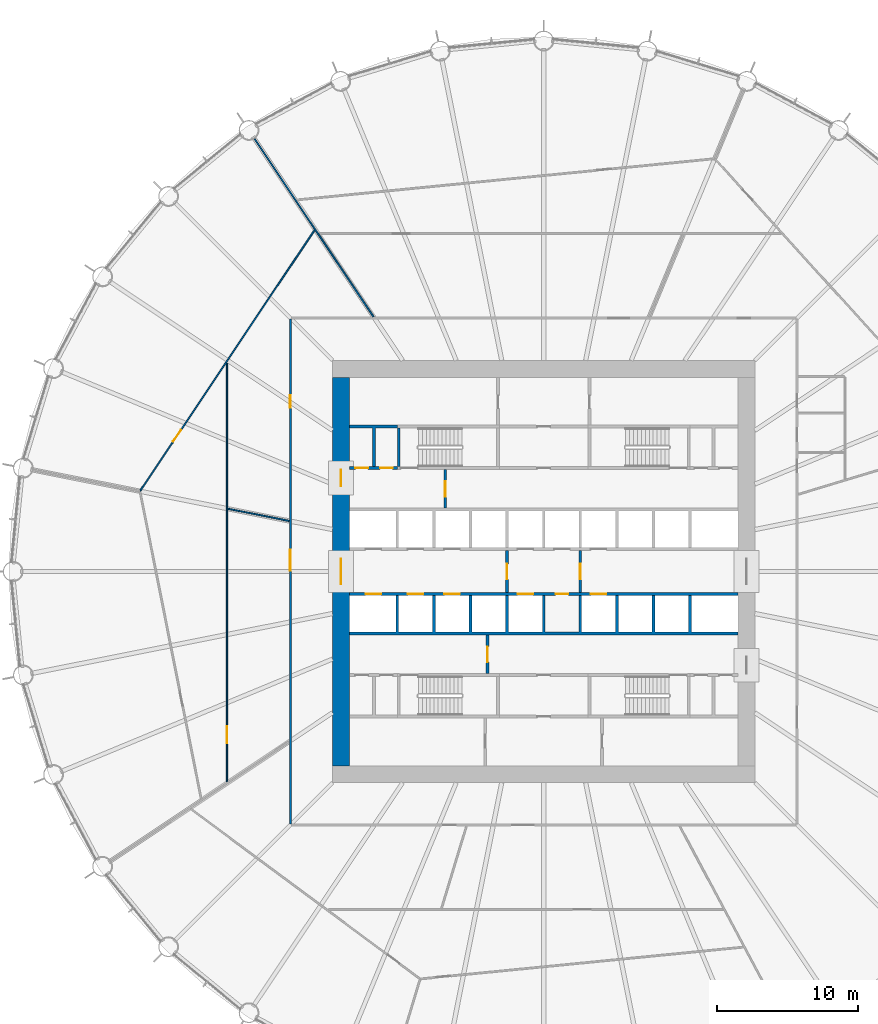
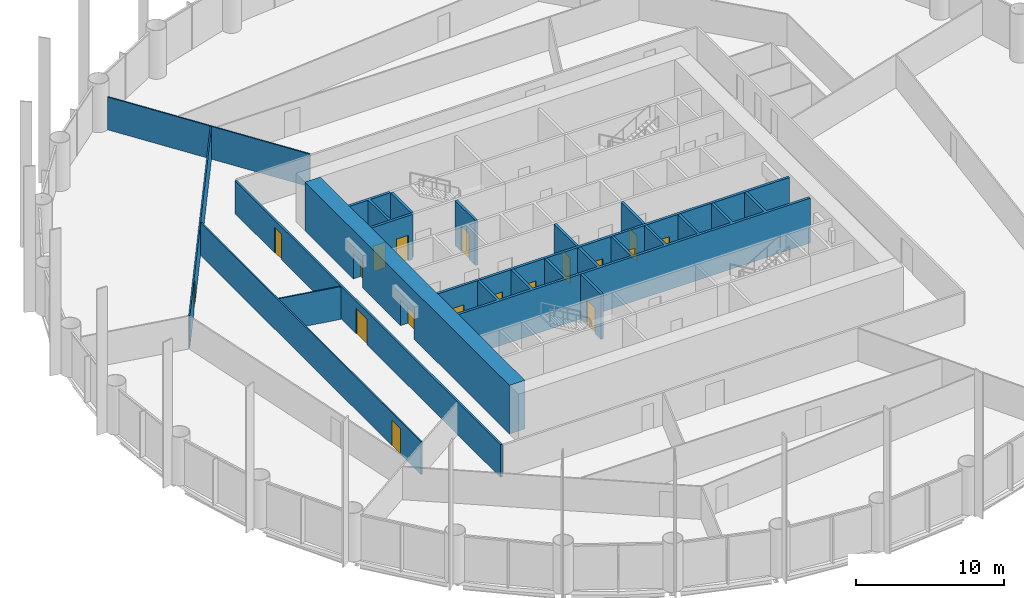
# One storey, part 10 of 14: 18 doors, 15 walls, 18 openings.
"""IFC4 building model written with IfcOpenShell, lengths in metres."""

from ifc_helpers import new_model, si_unit, direction, frame, frame_2d, origin, place, context, subcontext, project, spatial, polyline, rectangle, outline, extrude, material, layer, layer_set, type_object, element, fill, save


model = new_model("IFC4")

# Units and contexts
model_context = context("Model", 3, precision=1e-05, world=origin(), true_north=direction((0.0, 1.0)))
body_context = subcontext(model_context, "Body", "Model", "MODEL_VIEW")
ifc_project = project(units=[si_unit("LENGTHUNIT", "METRE"), si_unit("AREAUNIT", "SQUARE_METRE"), si_unit("VOLUMEUNIT", "CUBIC_METRE"), si_unit("PLANEANGLEUNIT", "RADIAN"), si_unit("MASSUNIT", "GRAM", prefix="KILO")], contexts=[model_context])

# Site, building, storey
site_placement = place(None, origin())
site = spatial("IfcSite", under=ifc_project, at=site_placement, CompositionType="ELEMENT")
building_placement = place(site_placement, origin())
building = spatial("IfcBuilding", under=site, at=building_placement, Name="Corvane Civic Tower", CompositionType="ELEMENT")
storey_placement = place(building_placement, frame((0.0, 0.0, 53.0)))
storey = spatial("IfcBuildingStorey", under=building, at=storey_placement, Name="L11", CompositionType="ELEMENT", Elevation=53.0)

# Wall, openings, doors
ifc_material_1 = material(Name="Concrete C80/95", Category="concrete")
ifc_layer_1 = layer(ifc_material_1, 1.199951171875)
ifc_layer_set_1 = layer_set([ifc_layer_1], Name="Concrete C80/95")
wall_type_1 = type_object("IfcWallType", Name="CORE WALL 1200 C80/95", PredefinedType="SHEAR", material=ifc_layer_set_1)
wall_1_placement = place(storey_placement, frame((-14.39990234375, -13.800048828125, 0.0), z_axis=(0.0, 0.0, 1.0), x_axis=(0.0, 1.0, 0.0)))
wall_1 = element("IfcWall", 1, at=wall_1_placement, inside=storey, type_object=wall_type_1, Name="W-L11-core-W", PredefinedType="SHEAR", context=body_context, shape_type="SweptSolid", body=[
    extrude(rectangle(XDim=27.60009765625, YDim=1.199951171875, at=frame_2d((13.800048828125, 0.0))), origin(), (0.0, 0.0, 1.0), 4.0),
])
opening_1_placement = place(wall_1_placement, frame((12.89990234375, 0.0, 0.0)))
opening_1 = element("IfcOpeningElement", 2, at=opening_1_placement, cuts=wall_1, Name="Opening L11.C26", PredefinedType="OPENING", context=body_context, shape_type="SweptSolid", body=[
    extrude(rectangle(XDim=1.800048828125, YDim=2.10009765625, at=frame_2d((0.89990234375, 1.050048828125))), frame((0.0, 0.60986328125, 0.0), z_axis=(0.0, -1.0, 0.0), x_axis=(1.0, 0.0, 0.0)), (0.0, 0.0, 1.0), 1.219970703125),
])
opening_2_placement = place(wall_1_placement, frame((19.85009765625, 0.0, 0.0)))
opening_2 = element("IfcOpeningElement", 3, at=opening_2_placement, cuts=wall_1, Name="Opening L11.C28", PredefinedType="OPENING", context=body_context, shape_type="SweptSolid", body=[
    extrude(rectangle(XDim=1.199951171875, YDim=2.10009765625, at=frame_2d((0.60009765625, 1.050048828125))), frame((0.0, 0.60986328125, 0.0), z_axis=(0.0, -1.0, 0.0), x_axis=(1.0, 0.0, 0.0)), (0.0, 0.0, 1.0), 1.219970703125),
])
ifc_material_2 = material(Name="Steel fire door leaf", Category="steel")
door_type_1 = type_object("IfcDoorType", Name="CR-DOOR-CORE-1800", OperationType="DOUBLE_DOOR_SINGLE_SWING", PredefinedType="DOOR", material=ifc_material_2)
door_1_placement = place(opening_1_placement, origin())
door_1 = element("IfcDoor", 4, at=door_1_placement, inside=storey, type_object=door_type_1, Name="L11 door", OperationType="DOUBLE_DOOR_SINGLE_SWING", OverallHeight=2.10009765625, OverallWidth=1.800048828125, PredefinedType="DOOR", context=body_context, shape_type="SweptSolid", body=[
    extrude(rectangle(XDim=1.800048828125, YDim=2.10009765625, at=frame_2d((0.89990234375, 1.050048828125))), frame((0.0, 0.02490234375, 0.0), z_axis=(0.0, -1.0, 0.0), x_axis=(1.0, 0.0, 0.0)), (0.0, 0.0, 1.0), 0.050048828125),
])
fill(opening_1, door_1)
door_2_placement = place(opening_2_placement, origin())
door_2 = element("IfcDoor", 5, at=door_2_placement, inside=storey, type_object=door_type_1, Name="L11 door", OperationType="DOUBLE_DOOR_SINGLE_SWING", OverallHeight=2.10009765625, OverallWidth=1.199951171875, PredefinedType="DOOR", context=body_context, shape_type="SweptSolid", body=[
    extrude(rectangle(XDim=1.199951171875, YDim=2.10009765625, at=frame_2d((0.60009765625, 1.050048828125))), frame((0.0, 0.02490234375, 0.0), z_axis=(0.0, -1.0, 0.0), x_axis=(1.0, 0.0, 0.0)), (0.0, 0.0, 1.0), 0.050048828125),
])
fill(opening_2, door_2)

ifc_material_3 = material(Name="Concrete C30/37", Category="concrete")
ifc_layer_2 = layer(ifc_material_3, 0.199951171875)
ifc_layer_set_2 = layer_set([ifc_layer_2], Name="Concrete C30/37")
wall_type_2 = type_object("IfcWallType", Name="CR-WALL-200", PredefinedType="PARTITIONING", material=ifc_layer_set_2)
wall_2_placement = place(storey_placement, frame((-13.800048828125, -1.60009765625, 0.0), z_axis=(0.0, 0.0, 1.0), x_axis=(1.0, 0.0, 0.0)))
wall_2 = element("IfcWall", 6, at=wall_2_placement, inside=storey, type_object=wall_type_2, Name="L11 lift shaft wall", PredefinedType="PARTITIONING", context=body_context, shape_type="SweptSolid", body=[
    extrude(rectangle(XDim=27.60009765625, YDim=0.199951171875, at=frame_2d((13.800048828125, 0.0))), origin(), (0.0, 0.0, 1.0), 3.699951171875),
])
opening_3_placement = place(wall_2_placement, frame((1.14990234375, 0.0, 0.0)))
opening_3 = element("IfcOpeningElement", 7, at=opening_3_placement, cuts=wall_2, Name="Opening LD", PredefinedType="OPENING", context=body_context, shape_type="SweptSolid", body=[
    extrude(rectangle(XDim=1.10009765625, YDim=2.10009765625, at=frame_2d((0.550048828125, 1.050048828125))), frame((0.0, 0.10986328125, 0.0), z_axis=(0.0, -1.0, 0.0), x_axis=(1.0, 0.0, 0.0)), (0.0, 0.0, 1.0), 0.219970703125),
])
opening_4_placement = place(wall_2_placement, frame((4.14990234375, 0.0, 0.0)))
opening_4 = element("IfcOpeningElement", 8, at=opening_4_placement, cuts=wall_2, Name="Opening LD", PredefinedType="OPENING", context=body_context, shape_type="SweptSolid", body=[
    extrude(rectangle(XDim=1.10009765625, YDim=2.10009765625, at=frame_2d((0.550048828125, 1.050048828125))), frame((0.0, 0.10986328125, 0.0), z_axis=(0.0, -1.0, 0.0), x_axis=(1.0, 0.0, 0.0)), (0.0, 0.0, 1.0), 0.219970703125),
])
opening_5_placement = place(wall_2_placement, frame((6.75, 0.0, 0.0)))
opening_5 = element("IfcOpeningElement", 9, at=opening_5_placement, cuts=wall_2, Name="Opening LD", PredefinedType="OPENING", context=body_context, shape_type="SweptSolid", body=[
    extrude(rectangle(XDim=1.10009765625, YDim=2.10009765625, at=frame_2d((0.550048828125, 1.050048828125))), frame((0.0, 0.10986328125, 0.0), z_axis=(0.0, -1.0, 0.0), x_axis=(1.0, 0.0, 0.0)), (0.0, 0.0, 1.0), 0.219970703125),
])
opening_6_placement = place(wall_2_placement, frame((11.949951171875, 0.0, 0.0)))
opening_6 = element("IfcOpeningElement", 10, at=opening_6_placement, cuts=wall_2, Name="Opening LD", PredefinedType="OPENING", context=body_context, shape_type="SweptSolid", body=[
    extrude(rectangle(XDim=1.10009765625, YDim=2.10009765625, at=frame_2d((0.550048828125, 1.050048828125))), frame((0.0, 0.10986328125, 0.0), z_axis=(0.0, -1.0, 0.0), x_axis=(1.0, 0.0, 0.0)), (0.0, 0.0, 1.0), 0.219970703125),
])
opening_7_placement = place(wall_2_placement, frame((14.64990234375, 0.0, 0.0)))
opening_7 = element("IfcOpeningElement", 11, at=opening_7_placement, cuts=wall_2, Name="Opening L11.C01", PredefinedType="OPENING", context=body_context, shape_type="SweptSolid", body=[
    extrude(rectangle(XDim=0.89990234375, YDim=2.10009765625, at=frame_2d((0.449951171875, 1.050048828125))), frame((0.0, 0.10986328125, 0.0), z_axis=(0.0, -1.0, 0.0), x_axis=(1.0, 0.0, 0.0)), (0.0, 0.0, 1.0), 0.219970703125),
])
opening_8_placement = place(wall_2_placement, frame((17.14990234375, 0.0, 0.0)))
opening_8 = element("IfcOpeningElement", 12, at=opening_8_placement, cuts=wall_2, Name="Opening LD", PredefinedType="OPENING", context=body_context, shape_type="SweptSolid", body=[
    extrude(rectangle(XDim=1.10009765625, YDim=2.10009765625, at=frame_2d((0.550048828125, 1.050048828125))), frame((0.0, 0.10986328125, 0.0), z_axis=(0.0, -1.0, 0.0), x_axis=(1.0, 0.0, 0.0)), (0.0, 0.0, 1.0), 0.219970703125),
])
ifc_material_4 = material(Name="Steel fire door leaf", Category="steel")
door_type_2 = type_object("IfcDoorType", Name="CR-DOOR-900", OperationType="SINGLE_SWING_LEFT", PredefinedType="DOOR", material=ifc_material_4)
door_3_placement = place(opening_7_placement, origin())
door_3 = element("IfcDoor", 13, at=door_3_placement, inside=storey, type_object=door_type_2, Name="L11 door", OperationType="SINGLE_SWING_LEFT", OverallHeight=2.10009765625, OverallWidth=0.89990234375, PredefinedType="DOOR", context=body_context, shape_type="SweptSolid", body=[
    extrude(rectangle(XDim=0.89990234375, YDim=2.10009765625, at=frame_2d((0.449951171875, 1.050048828125))), frame((0.0, 0.02490234375, 0.0), z_axis=(0.0, -1.0, 0.0), x_axis=(1.0, 0.0, 0.0)), (0.0, 0.0, 1.0), 0.050048828125),
])
fill(opening_7, door_3)
ifc_material_5 = material(Name="Stainless steel 316 door leaves", Category="steel")
door_type_3 = type_object("IfcDoorType", Name="LD", OperationType="DOUBLE_DOOR_SLIDING", PredefinedType="DOOR", material=ifc_material_5)
door_4_placement = place(opening_3_placement, origin())
door_4 = element("IfcDoor", 14, at=door_4_placement, inside=storey, type_object=door_type_3, Name="L11 landing door", OperationType="DOUBLE_DOOR_SLIDING", OverallHeight=2.10009765625, OverallWidth=1.10009765625, PredefinedType="DOOR", context=body_context, shape_type="SweptSolid", body=[
    extrude(rectangle(XDim=1.10009765625, YDim=2.10009765625, at=frame_2d((0.550048828125, 1.050048828125))), frame((0.0, 0.02490234375, 0.0), z_axis=(0.0, -1.0, 0.0), x_axis=(1.0, 0.0, 0.0)), (0.0, 0.0, 1.0), 0.050048828125),
])
fill(opening_3, door_4)
door_5_placement = place(opening_4_placement, origin())
door_5 = element("IfcDoor", 15, at=door_5_placement, inside=storey, type_object=door_type_3, Name="L11 landing door", OperationType="DOUBLE_DOOR_SLIDING", OverallHeight=2.10009765625, OverallWidth=1.10009765625, PredefinedType="DOOR", context=body_context, shape_type="SweptSolid", body=[
    extrude(rectangle(XDim=1.10009765625, YDim=2.10009765625, at=frame_2d((0.550048828125, 1.050048828125))), frame((0.0, 0.02490234375, 0.0), z_axis=(0.0, -1.0, 0.0), x_axis=(1.0, 0.0, 0.0)), (0.0, 0.0, 1.0), 0.050048828125),
])
fill(opening_4, door_5)
door_6_placement = place(opening_5_placement, origin())
door_6 = element("IfcDoor", 16, at=door_6_placement, inside=storey, type_object=door_type_3, Name="L11 landing door", OperationType="DOUBLE_DOOR_SLIDING", OverallHeight=2.10009765625, OverallWidth=1.10009765625, PredefinedType="DOOR", context=body_context, shape_type="SweptSolid", body=[
    extrude(rectangle(XDim=1.10009765625, YDim=2.10009765625, at=frame_2d((0.550048828125, 1.050048828125))), frame((0.0, 0.02490234375, 0.0), z_axis=(0.0, -1.0, 0.0), x_axis=(1.0, 0.0, 0.0)), (0.0, 0.0, 1.0), 0.050048828125),
])
fill(opening_5, door_6)
door_7_placement = place(opening_6_placement, origin())
door_7 = element("IfcDoor", 17, at=door_7_placement, inside=storey, type_object=door_type_3, Name="L11 landing door", OperationType="DOUBLE_DOOR_SLIDING", OverallHeight=2.10009765625, OverallWidth=1.10009765625, PredefinedType="DOOR", context=body_context, shape_type="SweptSolid", body=[
    extrude(rectangle(XDim=1.10009765625, YDim=2.10009765625, at=frame_2d((0.550048828125, 1.050048828125))), frame((0.0, 0.02490234375, 0.0), z_axis=(0.0, -1.0, 0.0), x_axis=(1.0, 0.0, 0.0)), (0.0, 0.0, 1.0), 0.050048828125),
])
fill(opening_6, door_7)
door_8_placement = place(opening_8_placement, origin())
door_8 = element("IfcDoor", 18, at=door_8_placement, inside=storey, type_object=door_type_3, Name="L11 landing door", OperationType="DOUBLE_DOOR_SLIDING", OverallHeight=2.10009765625, OverallWidth=1.10009765625, PredefinedType="DOOR", context=body_context, shape_type="SweptSolid", body=[
    extrude(rectangle(XDim=1.10009765625, YDim=2.10009765625, at=frame_2d((0.550048828125, 1.050048828125))), frame((0.0, 0.02490234375, 0.0), z_axis=(0.0, -1.0, 0.0), x_axis=(1.0, 0.0, 0.0)), (0.0, 0.0, 1.0), 0.050048828125),
])
fill(opening_8, door_8)

wall_3_placement = place(storey_placement, frame((-13.800048828125, 7.35009765625, 0.0), z_axis=(0.0, 0.0, 1.0), x_axis=(1.0, 0.0, 0.0)))
wall_3 = element("IfcWall", 19, at=wall_3_placement, inside=storey, type_object=wall_type_2, Name="L11 core partition wall", PredefinedType="PARTITIONING", context=body_context, shape_type="SweptSolid", body=[
    extrude(rectangle(XDim=3.400146484375, YDim=0.199951171875, at=frame_2d((1.7001953125, 0.0))), origin(), (0.0, 0.0, 1.0), 3.699951171875),
])
opening_9_placement = place(wall_3_placement, frame((0.425048828125, 0.0, 0.0)))
opening_9 = element("IfcOpeningElement", 20, at=opening_9_placement, cuts=wall_3, Name="Opening L11.C10", PredefinedType="OPENING", context=body_context, shape_type="SweptSolid", body=[
    extrude(rectangle(XDim=0.89990234375, YDim=2.10009765625, at=frame_2d((0.449951171875, 1.050048828125))), frame((0.0, 0.10986328125, 0.0), z_axis=(0.0, -1.0, 0.0), x_axis=(1.0, 0.0, 0.0)), (0.0, 0.0, 1.0), 0.219970703125),
])
opening_10_placement = place(wall_3_placement, frame((2.175048828125, 0.0, 0.0)))
opening_10 = element("IfcOpeningElement", 21, at=opening_10_placement, cuts=wall_3, Name="Opening L11.C11", PredefinedType="OPENING", context=body_context, shape_type="SweptSolid", body=[
    extrude(rectangle(XDim=0.89990234375, YDim=2.10009765625, at=frame_2d((0.449951171875, 1.050048828125))), frame((0.0, 0.10986328125, 0.0), z_axis=(0.0, -1.0, 0.0), x_axis=(1.0, 0.0, 0.0)), (0.0, 0.0, 1.0), 0.219970703125),
])
door_9_placement = place(opening_9_placement, origin())
door_9 = element("IfcDoor", 22, at=door_9_placement, inside=storey, type_object=door_type_2, Name="L11 door", OperationType="SINGLE_SWING_LEFT", OverallHeight=2.10009765625, OverallWidth=0.89990234375, PredefinedType="DOOR", context=body_context, shape_type="SweptSolid", body=[
    extrude(rectangle(XDim=0.89990234375, YDim=2.10009765625, at=frame_2d((0.449951171875, 1.050048828125))), frame((0.0, 0.02490234375, 0.0), z_axis=(0.0, -1.0, 0.0), x_axis=(1.0, 0.0, 0.0)), (0.0, 0.0, 1.0), 0.050048828125),
])
fill(opening_9, door_9)
door_10_placement = place(opening_10_placement, origin())
door_10 = element("IfcDoor", 23, at=door_10_placement, inside=storey, type_object=door_type_2, Name="L11 door", OperationType="SINGLE_SWING_LEFT", OverallHeight=2.10009765625, OverallWidth=0.89990234375, PredefinedType="DOOR", context=body_context, shape_type="SweptSolid", body=[
    extrude(rectangle(XDim=0.89990234375, YDim=2.10009765625, at=frame_2d((0.449951171875, 1.050048828125))), frame((0.0, 0.02490234375, 0.0), z_axis=(0.0, -1.0, 0.0), x_axis=(1.0, 0.0, 0.0)), (0.0, 0.0, 1.0), 0.050048828125),
])
fill(opening_10, door_10)

# Wall, opening, door
wall_4_placement = place(storey_placement, frame((-7.0, 4.5, 0.0), z_axis=(0.0, 0.0, 1.0), x_axis=(0.0, 1.0, 0.0)))
wall_4 = element("IfcWall", 24, at=wall_4_placement, inside=storey, type_object=wall_type_2, Name="L11 core partition wall", PredefinedType="PARTITIONING", context=body_context, shape_type="SweptSolid", body=[
    extrude(rectangle(XDim=2.75, YDim=0.199951171875, at=frame_2d((1.375, 0.0))), origin(), (0.0, 0.0, 1.0), 3.699951171875),
])
opening_11_placement = place(wall_4_placement, frame((0.824951171875, 0.0, 0.0)))
opening_11 = element("IfcOpeningElement", 25, at=opening_11_placement, cuts=wall_4, Name="Opening L11.C24", PredefinedType="OPENING", context=body_context, shape_type="SweptSolid", body=[
    extrude(rectangle(XDim=1.10009765625, YDim=2.10009765625, at=frame_2d((0.550048828125, 1.050048828125))), frame((0.0, 0.10986328125, 0.0), z_axis=(0.0, -1.0, 0.0), x_axis=(1.0, 0.0, 0.0)), (0.0, 0.0, 1.0), 0.219970703125),
])
ifc_material_6 = material(Name="Steel fire door leaf", Category="steel")
door_type_4 = type_object("IfcDoorType", Name="CR-DOOR-FFL-1100", OperationType="SINGLE_SWING_LEFT", PredefinedType="DOOR", material=ifc_material_6)
door_11_placement = place(opening_11_placement, origin())
door_11 = element("IfcDoor", 26, at=door_11_placement, inside=storey, type_object=door_type_4, Name="L11 lobby door", OperationType="SINGLE_SWING_LEFT", OverallHeight=2.10009765625, OverallWidth=1.10009765625, PredefinedType="DOOR", context=body_context, shape_type="SweptSolid", body=[
    extrude(rectangle(XDim=1.10009765625, YDim=2.10009765625, at=frame_2d((0.550048828125, 1.050048828125))), frame((0.0, 0.02490234375, 0.0), z_axis=(0.0, -1.0, 0.0), x_axis=(1.0, 0.0, 0.0)), (0.0, 0.0, 1.0), 0.050048828125),
])
fill(opening_11, door_11)

wall_5_placement = place(storey_placement, frame((-4.0, -7.25, 0.0), z_axis=(0.0, 0.0, 1.0), x_axis=(0.0, 1.0, 0.0)))
wall_5 = element("IfcWall", 27, at=wall_5_placement, inside=storey, type_object=wall_type_2, Name="L11 core partition wall", PredefinedType="PARTITIONING", context=body_context, shape_type="SweptSolid", body=[
    extrude(rectangle(XDim=2.75, YDim=0.199951171875, at=frame_2d((1.375, 0.0))), origin(), (0.0, 0.0, 1.0), 3.699951171875),
])
opening_12_placement = place(wall_5_placement, frame((0.824951171875, 0.0, 0.0)))
opening_12 = element("IfcOpeningElement", 28, at=opening_12_placement, cuts=wall_5, Name="Opening L11.C25", PredefinedType="OPENING", context=body_context, shape_type="SweptSolid", body=[
    extrude(rectangle(XDim=1.10009765625, YDim=2.10009765625, at=frame_2d((0.550048828125, 1.050048828125))), frame((0.0, 0.10986328125, 0.0), z_axis=(0.0, -1.0, 0.0), x_axis=(1.0, 0.0, 0.0)), (0.0, 0.0, 1.0), 0.219970703125),
])
door_12_placement = place(opening_12_placement, origin())
door_12 = element("IfcDoor", 29, at=door_12_placement, inside=storey, type_object=door_type_4, Name="L11 lobby door", OperationType="SINGLE_SWING_LEFT", OverallHeight=2.10009765625, OverallWidth=1.10009765625, PredefinedType="DOOR", context=body_context, shape_type="SweptSolid", body=[
    extrude(rectangle(XDim=1.10009765625, YDim=2.10009765625, at=frame_2d((0.550048828125, 1.050048828125))), frame((0.0, 0.02490234375, 0.0), z_axis=(0.0, -1.0, 0.0), x_axis=(1.0, 0.0, 0.0)), (0.0, 0.0, 1.0), 0.050048828125),
])
fill(opening_12, door_12)

wall_6_placement = place(storey_placement, frame((-2.60009765625, -1.5, 0.0), z_axis=(0.0, 0.0, 1.0), x_axis=(0.0, 1.0, 0.0)))
wall_6 = element("IfcWall", 30, at=wall_6_placement, inside=storey, type_object=wall_type_2, Name="L11 firefighting lobby wall", PredefinedType="PARTITIONING", context=body_context, shape_type="SweptSolid", body=[
    extrude(rectangle(XDim=3.0, YDim=0.199951171875, at=frame_2d((1.5, 0.0))), origin(), (0.0, 0.0, 1.0), 3.699951171875),
])
opening_13_placement = place(wall_6_placement, frame((0.949951171875, 0.0, 0.0)))
opening_13 = element("IfcOpeningElement", 31, at=opening_13_placement, cuts=wall_6, Name="Opening L11.C22", PredefinedType="OPENING", context=body_context, shape_type="SweptSolid", body=[
    extrude(rectangle(XDim=1.10009765625, YDim=2.10009765625, at=frame_2d((0.550048828125, 1.050048828125))), frame((0.0, 0.10986328125, 0.0), z_axis=(0.0, -1.0, 0.0), x_axis=(1.0, 0.0, 0.0)), (0.0, 0.0, 1.0), 0.219970703125),
])
door_13_placement = place(opening_13_placement, origin())
door_13 = element("IfcDoor", 32, at=door_13_placement, inside=storey, type_object=door_type_4, Name="L11 lobby door", OperationType="SINGLE_SWING_LEFT", OverallHeight=2.10009765625, OverallWidth=1.10009765625, PredefinedType="DOOR", context=body_context, shape_type="SweptSolid", body=[
    extrude(rectangle(XDim=1.10009765625, YDim=2.10009765625, at=frame_2d((0.550048828125, 1.050048828125))), frame((0.0, 0.02490234375, 0.0), z_axis=(0.0, -1.0, 0.0), x_axis=(1.0, 0.0, 0.0)), (0.0, 0.0, 1.0), 0.050048828125),
])
fill(opening_13, door_13)

wall_7_placement = place(storey_placement, frame((2.60009765625, -1.5, 0.0), z_axis=(0.0, 0.0, 1.0), x_axis=(0.0, 1.0, 0.0)))
wall_7 = element("IfcWall", 33, at=wall_7_placement, inside=storey, type_object=wall_type_2, Name="L11 firefighting lobby wall", PredefinedType="PARTITIONING", context=body_context, shape_type="SweptSolid", body=[
    extrude(rectangle(XDim=3.0, YDim=0.199951171875, at=frame_2d((1.5, 0.0))), origin(), (0.0, 0.0, 1.0), 3.699951171875),
])
opening_14_placement = place(wall_7_placement, frame((0.949951171875, 0.0, 0.0)))
opening_14 = element("IfcOpeningElement", 34, at=opening_14_placement, cuts=wall_7, Name="Opening L11.C23", PredefinedType="OPENING", context=body_context, shape_type="SweptSolid", body=[
    extrude(rectangle(XDim=1.10009765625, YDim=2.10009765625, at=frame_2d((0.550048828125, 1.050048828125))), frame((0.0, 0.10986328125, 0.0), z_axis=(0.0, -1.0, 0.0), x_axis=(1.0, 0.0, 0.0)), (0.0, 0.0, 1.0), 0.219970703125),
])
door_14_placement = place(opening_14_placement, origin())
door_14 = element("IfcDoor", 35, at=door_14_placement, inside=storey, type_object=door_type_4, Name="L11 lobby door", OperationType="SINGLE_SWING_LEFT", OverallHeight=2.10009765625, OverallWidth=1.10009765625, PredefinedType="DOOR", context=body_context, shape_type="SweptSolid", body=[
    extrude(rectangle(XDim=1.10009765625, YDim=2.10009765625, at=frame_2d((0.550048828125, 1.050048828125))), frame((0.0, 0.02490234375, 0.0), z_axis=(0.0, -1.0, 0.0), x_axis=(1.0, 0.0, 0.0)), (0.0, 0.0, 1.0), 0.050048828125),
])
fill(opening_14, door_14)

# Walls
wall_8_placement = place(storey_placement, origin())
element("IfcWall", 36, at=wall_8_placement, inside=storey, type_object=wall_type_2, Name="L11 core partition wall", PredefinedType="PARTITIONING", context=body_context, shape_type="SweptSolid", body=[
    extrude(outline(polyline([(-13.800048828125, 10.39990234375), (-10.39990234375, 10.39990234375), (-10.39990234375, 10.199951171875), (-11.949951171875, 10.199951171875), (-11.949951171875, 7.449951171875), (-12.14990234375, 7.449951171875), (-12.14990234375, 10.199951171875), (-13.800048828125, 10.199951171875), (-13.800048828125, 10.39990234375)])), origin(), (0.0, 0.0, 1.0), 3.699951171875),
])
wall_9_placement = place(storey_placement, origin())
element("IfcWall", 37, at=wall_9_placement, inside=storey, type_object=wall_type_2, Name="L11 core partition wall", PredefinedType="PARTITIONING", context=body_context, shape_type="SweptSolid", body=[
    extrude(outline(polyline([(-10.300048828125, -1.699951171875), (-10.300048828125, -4.300048828125), (-7.89990234375, -4.300048828125), (-7.89990234375, -1.699951171875), (-7.699951171875, -1.699951171875), (-7.699951171875, -4.300048828125), (-5.300048828125, -4.300048828125), (-5.300048828125, -1.699951171875), (-5.10009765625, -1.699951171875), (-5.10009765625, -4.300048828125), (-2.699951171875, -4.300048828125), (-2.699951171875, -1.699951171875), (-2.5, -1.699951171875), (-2.5, -4.300048828125), (-0.10009765625, -4.300048828125), (-0.10009765625, -1.699951171875), (0.10009765625, -1.699951171875), (0.10009765625, -4.300048828125), (2.5, -4.300048828125), (2.5, -1.699951171875), (2.699951171875, -1.699951171875), (2.699951171875, -4.300048828125), (5.10009765625, -4.300048828125), (5.10009765625, -1.699951171875), (5.300048828125, -1.699951171875), (5.300048828125, -4.300048828125), (7.699951171875, -4.300048828125), (7.699951171875, -1.699951171875), (7.89990234375, -1.699951171875), (7.89990234375, -4.300048828125), (10.300048828125, -4.300048828125), (10.300048828125, -1.699951171875), (10.5, -1.699951171875), (10.5, -4.300048828125), (13.800048828125, -4.300048828125), (13.800048828125, -4.5), (-13.800048828125, -4.5), (-13.800048828125, -4.300048828125), (-10.5, -4.300048828125), (-10.5, -1.699951171875), (-10.300048828125, -1.699951171875)])), origin(), (0.0, 0.0, 1.0), 3.699951171875),
])

# Wall, opening, door
ifc_material_7 = material(Name="Plasterboard")
ifc_layer_3 = layer(ifc_material_7, 0.10009765625)
ifc_layer_set_3 = layer_set([ifc_layer_3], Name="Plasterboard")
wall_type_3 = type_object("IfcWallType", Name="Partition 100 plasterboard on studs", PredefinedType="PARTITIONING", material=ifc_layer_set_3)
wall_10_placement = place(storey_placement, frame((-22.5, -14.9404296875, 0.0), z_axis=(0.0, 0.0, 1.0), x_axis=(0.0, 1.0, 0.0)))
wall_10 = element("IfcWall", 38, at=wall_10_placement, inside=storey, type_object=wall_type_3, Name="Partition L11.013", PredefinedType="PARTITIONING", context=body_context, shape_type="SweptSolid", body=[
    extrude(rectangle(XDim=29.725830078125, YDim=0.10009765625, at=frame_2d((14.86279296875, 0.0))), origin(), (0.0, 0.0, 1.0), 2.699951171875),
])
opening_15_placement = place(wall_10_placement, frame((2.739013671875, 0.0, 0.0)))
opening_15 = element("IfcOpeningElement", 39, at=opening_15_placement, cuts=wall_10, Name="Opening L11.018", PredefinedType="OPENING", context=body_context, shape_type="SweptSolid", body=[
    extrude(rectangle(XDim=1.199951171875, YDim=2.10009765625, at=frame_2d((0.60009765625, 1.050048828125))), frame((0.0, 0.06005859375, 0.0), z_axis=(0.0, -1.0, 0.0), x_axis=(1.0, 0.0, 0.0)), (0.0, 0.0, 1.0), 0.1201171875),
])
ifc_material_8 = material(Name="Timber", Category="wood")
door_type_5 = type_object("IfcDoorType", Name="Double door 1200", OperationType="NOTDEFINED", PredefinedType="DOOR", material=ifc_material_8)
door_15_placement = place(opening_15_placement, origin())
door_15 = element("IfcDoor", 40, at=door_15_placement, inside=storey, type_object=door_type_5, Name="Door L11.018", OperationType="DOUBLE_DOOR_SINGLE_SWING", OverallHeight=2.10009765625, OverallWidth=1.199951171875, PredefinedType="DOOR", context=body_context, shape_type="SweptSolid", body=[
    extrude(rectangle(XDim=1.199951171875, YDim=2.10009765625, at=frame_2d((0.60009765625, 1.050048828125))), frame((0.0, 0.02490234375, 0.0), z_axis=(0.0, -1.0, 0.0), x_axis=(1.0, 0.0, 0.0)), (0.0, 0.0, 1.0), 0.050048828125),
])
fill(opening_15, door_15)

# Wall
wall_11_placement = place(storey_placement, frame((-22.440185546875, 4.463623046875, 0.0), z_axis=(0.0, 0.0, 1.0), x_axis=(0.980791556136, -0.195058769124, 0.0)))
element("IfcWall", 41, at=wall_11_placement, inside=storey, type_object=wall_type_3, Name="Partition L11.015", PredefinedType="PARTITIONING", context=body_context, shape_type="SweptSolid", body=[
    extrude(rectangle(XDim=4.440673828125, YDim=0.10009765625, at=frame_2d((2.22021484375, 0.0))), origin(), (0.0, 0.0, 1.0), 2.699951171875),
])

# Wall, opening, door
wall_12_placement = place(storey_placement, frame((-28.659423828125, 5.732177734375, 0.0), z_axis=(0.0, 0.0, 1.0), x_axis=(0.555570132004, 0.831469679799, 0.0)))
wall_12 = element("IfcWall", 42, at=wall_12_placement, inside=storey, type_object=wall_type_3, Name="Partition L11.018", PredefinedType="PARTITIONING", context=body_context, shape_type="SweptSolid", body=[
    extrude(rectangle(XDim=22.27099609375, YDim=0.10009765625, at=frame_2d((11.135498046875, 0.0))), origin(), (0.0, 0.0, 1.0), 2.699951171875),
])
opening_16_placement = place(wall_12_placement, frame((4.207763671875, 0.0, 0.0)))
opening_16 = element("IfcOpeningElement", 43, at=opening_16_placement, cuts=wall_12, Name="Opening L11.017", PredefinedType="OPENING", context=body_context, shape_type="SweptSolid", body=[
    extrude(rectangle(XDim=1.0, YDim=2.10009765625, at=frame_2d((0.5, 1.050048828125))), frame((0.0, 0.06005859375, 0.0), z_axis=(0.0, -1.0, 0.0), x_axis=(1.0, 0.0, 0.0)), (0.0, 0.0, 1.0), 0.1201171875),
])
ifc_material_9 = material(Name="Timber", Category="wood")
door_type_6 = type_object("IfcDoorType", Name="Single door 1000", OperationType="NOTDEFINED", PredefinedType="DOOR", material=ifc_material_9)
door_16_placement = place(opening_16_placement, origin())
door_16 = element("IfcDoor", 44, at=door_16_placement, inside=storey, type_object=door_type_6, Name="Door L11.017", OperationType="SINGLE_SWING_LEFT", OverallHeight=2.10009765625, OverallWidth=1.0, PredefinedType="DOOR", context=body_context, shape_type="SweptSolid", body=[
    extrude(rectangle(XDim=1.0, YDim=2.10009765625, at=frame_2d((0.5, 1.050048828125))), frame((0.0, 0.02490234375, 0.0), z_axis=(0.0, -1.0, 0.0), x_axis=(1.0, 0.0, 0.0)), (0.0, 0.0, 1.0), 0.050048828125),
])
fill(opening_16, door_16)

# Walls
wall_13_placement = place(storey_placement, frame((-20.550537109375, 30.756103515625, 0.0), z_axis=(0.0, 0.0, 1.0), x_axis=(0.555566213074, -0.83147229833, 0.0)))
element("IfcWall", 45, at=wall_13_placement, inside=storey, type_object=wall_type_3, Name="Partition L11.027", PredefinedType="PARTITIONING", context=body_context, shape_type="SweptSolid", body=[
    extrude(rectangle(XDim=15.218017578125, YDim=0.10009765625, at=frame_2d((7.60888671875, 0.0))), origin(), (0.0, 0.0, 1.0), 2.699951171875),
])
ifc_material_10 = material(Name="Concrete C50/60", Category="concrete")
ifc_layer_4 = layer(ifc_material_10, 0.199951171875)
ifc_layer_set_4 = layer_set([ifc_layer_4], Name="Concrete C50/60")
wall_type_4 = type_object("IfcWallType", Name="ST-WALL-200", PredefinedType="SHEAR", material=ifc_layer_set_4)
wall_14_placement = place(storey_placement, origin())
element("IfcWall", 46, at=wall_14_placement, inside=storey, type_object=wall_type_4, Name="L11 stair enclosure wall", PredefinedType="SHEAR", context=body_context, shape_type="SweptSolid", body=[
    extrude(outline(polyline([(-10.199951171875, 7.449951171875), (-10.39990234375, 7.449951171875), (-10.39990234375, 10.199951171875), (-10.199951171875, 10.199951171875), (-10.199951171875, 7.449951171875)])), origin(), (0.0, 0.0, 1.0), 3.699951171875),
])

# Wall, openings, doors
ifc_material_11 = material(Name="Plasterboard")
ifc_layer_5 = layer(ifc_material_11, 0.14990234375)
ifc_layer_set_5 = layer_set([ifc_layer_5], Name="Plasterboard")
wall_type_5 = type_object("IfcWallType", Name="Tenancy wall 150 EI 60", PredefinedType="PARTITIONING", material=ifc_layer_set_5)
wall_15_placement = place(storey_placement, frame((-18.0, -17.925048828125, 0.0), z_axis=(0.0, 0.0, 1.0), x_axis=(0.0, 1.0, 0.0)))
wall_15 = element("IfcWall", 47, at=wall_15_placement, inside=storey, type_object=wall_type_5, Name="Partition L11.009", PredefinedType="PARTITIONING", context=body_context, shape_type="SweptSolid", body=[
    extrude(rectangle(XDim=35.85009765625, YDim=0.14990234375, at=frame_2d((17.925048828125, 0.0))), origin(), (0.0, 0.0, 1.0), 2.699951171875),
])
opening_17_placement = place(wall_15_placement, frame((17.98388671875, 0.0, 0.0)))
opening_17 = element("IfcOpeningElement", 48, at=opening_17_placement, cuts=wall_15, Name="Opening L11.019", PredefinedType="OPENING", context=body_context, shape_type="SweptSolid", body=[
    extrude(rectangle(XDim=1.5, YDim=2.10009765625, at=frame_2d((0.75, 1.050048828125))), frame((0.0, 0.0849609375, 0.0), z_axis=(0.0, -1.0, 0.0), x_axis=(1.0, 0.0, 0.0)), (0.0, 0.0, 1.0), 0.169921875),
])
opening_18_placement = place(wall_15_placement, frame((29.566162109375, 0.0, 0.0)))
opening_18 = element("IfcOpeningElement", 49, at=opening_18_placement, cuts=wall_15, Name="Opening L11.020", PredefinedType="OPENING", context=body_context, shape_type="SweptSolid", body=[
    extrude(rectangle(XDim=0.89990234375, YDim=2.10009765625, at=frame_2d((0.449951171875, 1.050048828125))), frame((0.0, 0.0849609375, 0.0), z_axis=(0.0, -1.0, 0.0), x_axis=(1.0, 0.0, 0.0)), (0.0, 0.0, 1.0), 0.169921875),
])
ifc_material_12 = material(Name="Steel and timber", Category="steel")
door_type_7 = type_object("IfcDoorType", Name="Fire door FD30S 900", OperationType="NOTDEFINED", PredefinedType="DOOR", material=ifc_material_12)
door_17_placement = place(opening_18_placement, origin())
door_17 = element("IfcDoor", 50, at=door_17_placement, inside=storey, type_object=door_type_7, Name="Door L11.020", OperationType="SINGLE_SWING_LEFT", OverallHeight=2.10009765625, OverallWidth=0.89990234375, PredefinedType="DOOR", context=body_context, shape_type="SweptSolid", body=[
    extrude(rectangle(XDim=0.89990234375, YDim=2.10009765625, at=frame_2d((0.449951171875, 1.050048828125))), frame((0.0, 0.02490234375, 0.0), z_axis=(0.0, -1.0, 0.0), x_axis=(1.0, 0.0, 0.0)), (0.0, 0.0, 1.0), 0.050048828125),
])
fill(opening_18, door_17)
ifc_material_13 = material(Name="Steel and timber", Category="steel")
door_type_8 = type_object("IfcDoorType", Name="Fire door FD60 double 1500", OperationType="NOTDEFINED", PredefinedType="DOOR", material=ifc_material_13)
door_18_placement = place(opening_17_placement, origin())
door_18 = element("IfcDoor", 51, at=door_18_placement, inside=storey, type_object=door_type_8, Name="Door L11.019", OperationType="DOUBLE_DOOR_SINGLE_SWING", OverallHeight=2.10009765625, OverallWidth=1.5, PredefinedType="DOOR", context=body_context, shape_type="SweptSolid", body=[
    extrude(rectangle(XDim=1.5, YDim=2.10009765625, at=frame_2d((0.75, 1.050048828125))), frame((0.0, 0.02490234375, 0.0), z_axis=(0.0, -1.0, 0.0), x_axis=(1.0, 0.0, 0.0)), (0.0, 0.0, 1.0), 0.050048828125),
])
fill(opening_17, door_18)

save(model, "model.ifc")
